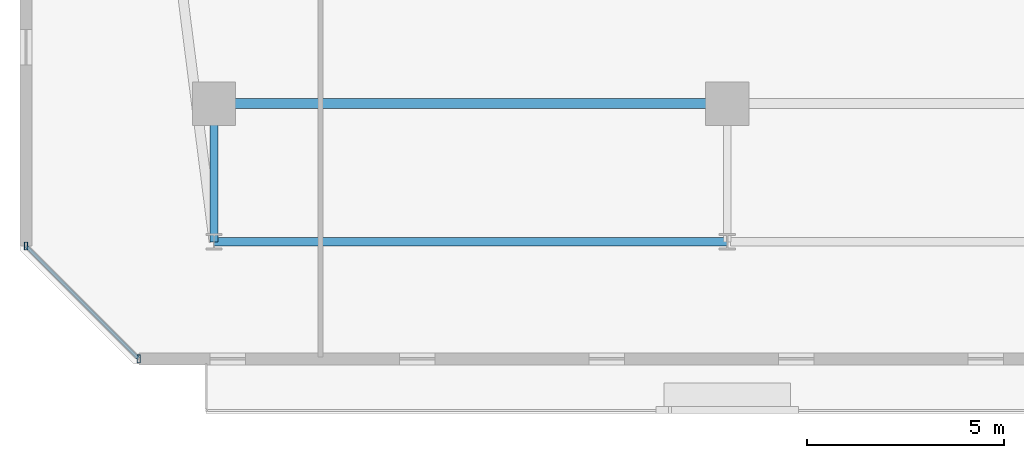
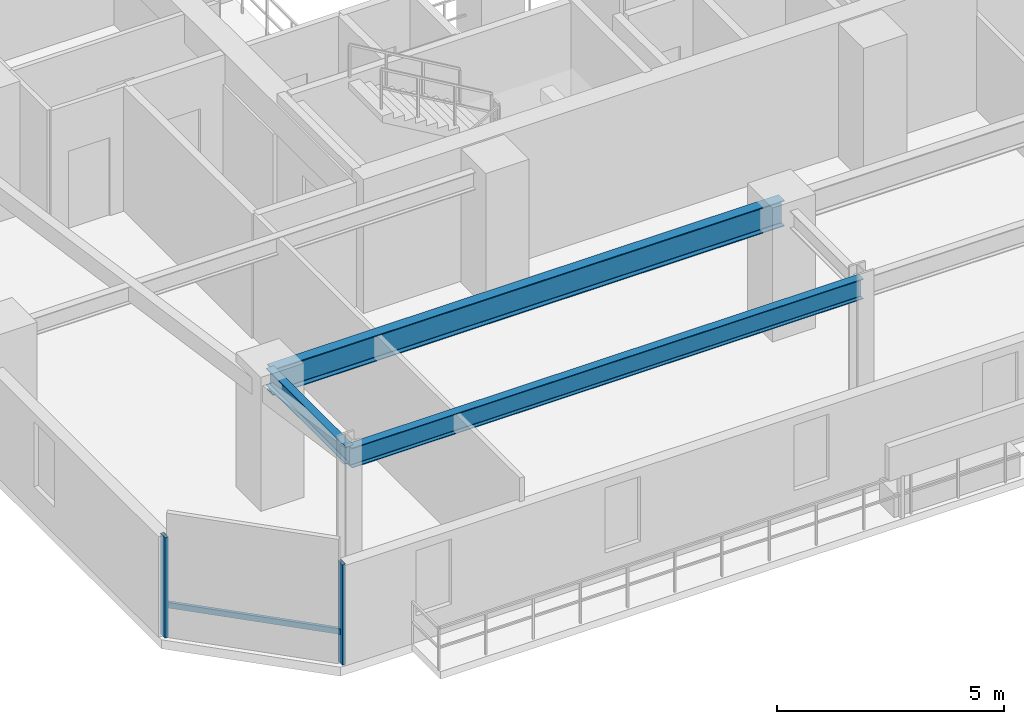
# One storey, part 3 of 33: 3 beams, 3 members, 1 element without a shape of its own.
"""IFC4 building model written with IfcOpenShell, lengths in metres."""

from ifc_helpers import new_model, si_unit, direction, frame, origin, origin_2d, place, context, subcontext, project, spatial, hollow_rectangle, i_section, extrude, material, material_profile, profile_set, type_object, element, aggregate, save


model = new_model("IFC4")

# Units and contexts
model_context = context("Model", 3, precision=1e-05, world=origin(), true_north=direction((0.0, 1.0)))
body_context = subcontext(model_context, "Body", "Model", "MODEL_VIEW")
ifc_project = project(units=[si_unit("LENGTHUNIT", "METRE"), si_unit("AREAUNIT", "SQUARE_METRE"), si_unit("VOLUMEUNIT", "CUBIC_METRE"), si_unit("PLANEANGLEUNIT", "RADIAN"), si_unit("MASSUNIT", "GRAM", prefix="KILO")], contexts=[model_context])

# Site, building, storey
site_placement = place(None, origin())
site = spatial("IfcSite", under=ifc_project, at=site_placement, CompositionType="ELEMENT")
building_placement = place(site_placement, origin())
building = spatial("IfcBuilding", under=site, at=building_placement, Name="Thornwick Lancets Civic Towers", CompositionType="ELEMENT")
storey_placement = place(building_placement, frame((0.0, 0.0, 167.10009765625)))
storey = spatial("IfcBuildingStorey", under=building, at=storey_placement, Name="L44", CompositionType="ELEMENT", Elevation=167.10009765625)

# Beams
ifc_material_1 = material(Name="Steel S355JR", Category="steel")
ifc_material_profile_1 = material_profile(ifc_material_1, i_section(OverallWidth=0.210693359375, OverallDepth=0.53955078125, WebThickness=0.01171875, FlangeThickness=0.018798828125, FilletRadius=0.0126953125, at=origin_2d()), Name="UKB 533x210x109")
ifc_profile_set_1 = profile_set([ifc_material_profile_1], Name="Steel S355JR")
beam_type_1 = type_object("IfcBeamType", Name="BM_EDGE_533_109", PredefinedType="SPANDREL", material=ifc_profile_set_1)
beam_1_placement = place(storey_placement, frame((12.5, 6.199951171875, 3.090087890625), z_axis=(1.0, 0.0, 0.0), x_axis=(0.0, 1.0, 0.0)))
element("IfcBeam", 1, at=beam_1_placement, inside=storey, type_object=beam_type_1, Name="BM-EDGE-L44-A-S0-1", PredefinedType="SPANDREL", context=body_context, shape_type="SweptSolid", body=[
    extrude(i_section(OverallWidth=0.210693359375, OverallDepth=0.53955078125, WebThickness=0.01171875, FlangeThickness=0.018798828125, FilletRadius=0.0126953125, at=origin_2d()), origin(), (0.0, 0.0, 1.0), 13.0),
])
ifc_material_profile_2 = material_profile(ifc_material_1, i_section(OverallWidth=0.255859375, OverallDepth=0.69287109375, WebThickness=0.014404296875, FlangeThickness=0.023681640625, FilletRadius=0.01513671875, at=origin_2d()), Name="UKB 686x254x170")
ifc_profile_set_2 = profile_set([ifc_material_profile_2], Name="Steel S355JR")
beam_type_2 = type_object("IfcBeamType", Name="BM_GIRD_686_170", PredefinedType="BEAM", material=ifc_profile_set_2)
beam_2_placement = place(storey_placement, frame((12.5, 9.699951171875, 3.013427734375), z_axis=(1.0, 0.0, 0.0), x_axis=(0.0, 1.0, 0.0)))
element("IfcBeam", 2, at=beam_2_placement, inside=storey, type_object=beam_type_2, Name="BM-SPINE-L44-A-0-1", PredefinedType="BEAM", context=body_context, shape_type="SweptSolid", body=[
    extrude(i_section(OverallWidth=0.255859375, OverallDepth=0.69287109375, WebThickness=0.014404296875, FlangeThickness=0.023681640625, FilletRadius=0.01513671875, at=origin_2d()), origin(), (0.0, 0.0, 1.0), 13.0),
])
ifc_material_profile_3 = material_profile(ifc_material_1, i_section(OverallWidth=0.19189453125, OverallDepth=0.46337890625, WebThickness=0.010498046875, FlangeThickness=0.017578125, FilletRadius=0.01025390625, at=origin_2d()), Name="UKB 457x191x89")
ifc_profile_set_3 = profile_set([ifc_material_profile_3], Name="Steel S355JR")
beam_type_3 = type_object("IfcBeamType", Name="BM_JOIST_457_89", PredefinedType="JOIST", material=ifc_profile_set_3)
beam_3_placement = place(storey_placement, frame((12.5, 9.699951171875, 3.128173828125), z_axis=(0.0, -1.0, 0.0), x_axis=(1.0, 0.0, 0.0)))
element("IfcBeam", 3, at=beam_3_placement, inside=storey, type_object=beam_type_3, Name="BM-RAD-L44-A01", PredefinedType="JOIST", context=body_context, shape_type="SweptSolid", body=[
    extrude(i_section(OverallWidth=0.19189453125, OverallDepth=0.46337890625, WebThickness=0.010498046875, FlangeThickness=0.017578125, FilletRadius=0.01025390625, at=origin_2d()), origin(), (0.0, 0.0, 1.0), 3.5),
])

# Curtain wall, members
ifc_material_2 = material(Name="Mid-zone chamfered-corner unitised glass curtain wall", Category="glass")
curtain_wall_type = type_object("IfcCurtainWallType", Name="CW_SYS_04", PredefinedType="NOTDEFINED", material=ifc_material_2)
curtain_wall_placement = place(storey_placement, origin())
curtain_wall = element("IfcCurtainWall", 4, at=curtain_wall_placement, inside=storey, type_object=curtain_wall_type, Name="L44 Curtain Wall CW-L44-A-E7", PredefinedType="NOTDEFINED")
ifc_material_3 = material(Name="Thermally broken bronze aluminium S355", Category="steel")
ifc_material_profile_4 = material_profile(ifc_material_3, hollow_rectangle(XDim=0.080078125, YDim=0.199951171875, WallThickness=0.006103515625, at=origin_2d()), Name="RHS 200x80x6")
ifc_profile_set_4 = profile_set([ifc_material_profile_4], Name="Thermally broken bronze aluminium S355")
member_type_1 = type_object("IfcMemberType", Name="CW_MUL_200", PredefinedType="MULLION", material=ifc_profile_set_4)
member_1_placement = place(storey_placement, frame((7.736328125, 6.094482421875, 0.0), z_axis=(0.0, 0.0, 1.0), x_axis=(1.0, 0.0, 0.0)))
member_1 = element("IfcMember", 5, at=member_1_placement, type_object=member_type_1, Name="CW-L44-A-E7 Mullion 0", PredefinedType="MULLION", context=body_context, shape_type="SweptSolid", body=[
    extrude(hollow_rectangle(XDim=0.080078125, YDim=0.199951171875, WallThickness=0.006103515625, at=origin_2d()), origin(), (0.0, 0.0, 1.0), 2.699951171875),
])
member_2_placement = place(storey_placement, frame((10.594482421875, 3.236328125, 0.0), z_axis=(0.0, 0.0, 1.0), x_axis=(1.0, 0.0, 0.0)))
member_2 = element("IfcMember", 6, at=member_2_placement, type_object=member_type_1, Name="CW-L44-A-E7 Mullion 1", PredefinedType="MULLION", context=body_context, shape_type="SweptSolid", body=[
    extrude(hollow_rectangle(XDim=0.080078125, YDim=0.199951171875, WallThickness=0.006103515625, at=origin_2d()), origin(), (0.0, 0.0, 1.0), 2.699951171875),
])
ifc_material_profile_5 = material_profile(ifc_material_3, hollow_rectangle(XDim=0.074951171875, YDim=0.14990234375, WallThickness=0.0048828125, at=origin_2d()), Name="RHS 150x75x5")
ifc_profile_set_5 = profile_set([ifc_material_profile_5], Name="Thermally broken bronze aluminium S355")
member_type_2 = type_object("IfcMemberType", Name="CW_TRN_150", PredefinedType="USERDEFINED", material=ifc_profile_set_5)
member_3_placement = place(storey_placement, frame((7.75048828125, 6.08056640625, 0.849853515625), z_axis=(0.707106781187, -0.707106781187, 0.0), x_axis=(0.707106781187, 0.707106781187, 0.0)))
member_3 = element("IfcMember", 7, at=member_3_placement, type_object=member_type_2, Name="CW-L44-A-E7 Transom 0", ObjectType="TRANSOM", PredefinedType="USERDEFINED", context=body_context, shape_type="SweptSolid", body=[
    extrude(hollow_rectangle(XDim=0.074951171875, YDim=0.14990234375, WallThickness=0.0048828125, at=origin_2d()), origin(), (0.0, 0.0, 1.0), 4.00244140625),
])
aggregate(curtain_wall, [member_1, member_2, member_3])

save(model, "model.ifc")
